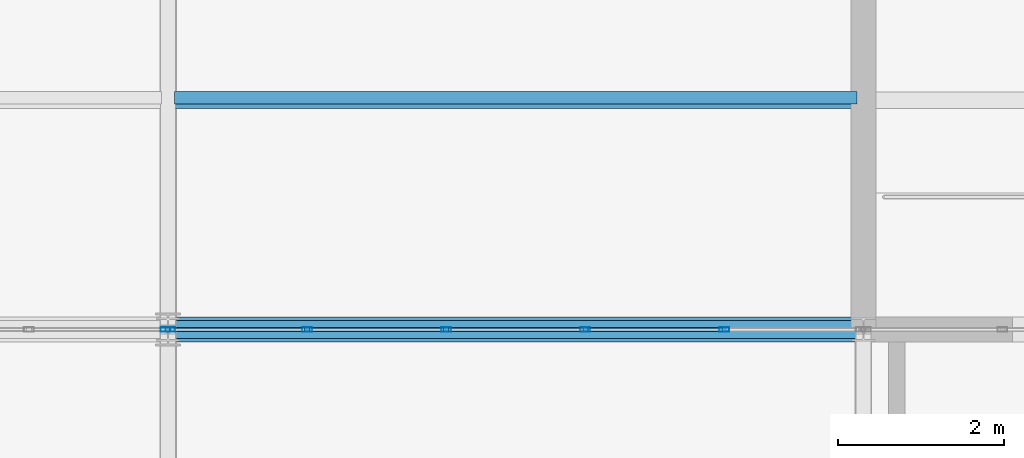
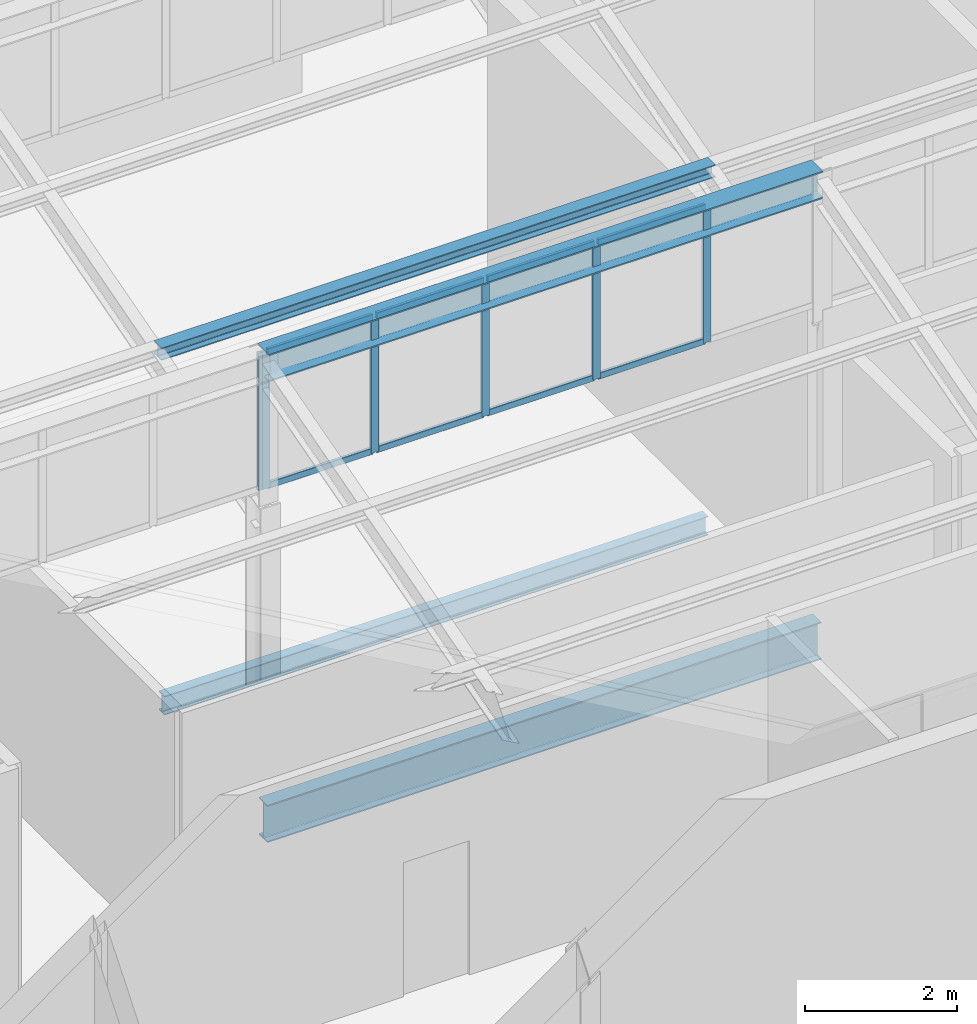
# One storey, part 12 of 53: 15 members, 3 beams, 2 elements without a shape of their own.
"""IFC4 building model written with IfcOpenShell, lengths in metres."""

from ifc_helpers import new_model, si_unit, direction, frame, origin, origin_2d, place, context, subcontext, project, spatial, hollow_rectangle, i_section, extrude, material, layer, layer_set, material_profile, profile_set, type_object, element, aggregate, save


model = new_model("IFC4")

# Units and contexts
model_context = context("Model", 3, precision=1e-05, world=origin(), true_north=direction((0.0, 1.0)))
body_context = subcontext(model_context, "Body", "Model", "MODEL_VIEW")
ifc_project = project(units=[si_unit("LENGTHUNIT", "METRE"), si_unit("AREAUNIT", "SQUARE_METRE"), si_unit("VOLUMEUNIT", "CUBIC_METRE"), si_unit("PLANEANGLEUNIT", "RADIAN"), si_unit("MASSUNIT", "GRAM", prefix="KILO")], contexts=[model_context])

# Site, building, storey
site_placement = place(None, origin())
site = spatial("IfcSite", under=ifc_project, at=site_placement, CompositionType="ELEMENT")
building_placement = place(site_placement, origin())
building = spatial("IfcBuilding", under=site, at=building_placement, Name="Qalvenar Corner Mobility Hub", CompositionType="ELEMENT")
storey_placement = place(building_placement, frame((0.0, 0.0, 26.39990234375)))
storey = spatial("IfcBuildingStorey", under=building, at=storey_placement, Name="L06", CompositionType="ELEMENT", Elevation=26.39990234375)

# Beams
ifc_material_1 = material(Name="Steel S355", Category="steel")
ifc_material_profile_1 = material_profile(ifc_material_1, i_section(OverallWidth=0.300048828125, OverallDepth=0.43994140625, WebThickness=0.011474609375, FlangeThickness=0.02099609375, FilletRadius=0.027099609375, at=origin_2d()), Name="HEA450")
ifc_profile_set_1 = profile_set([ifc_material_profile_1], Name="Steel S355")
beam_type_1 = type_object("IfcBeamType", Name="BM-HEA450", PredefinedType="BEAM", material=ifc_profile_set_1)
beam_1_placement = place(storey_placement, frame((25.199951171875, 8.39990234375, 6.81005859375), z_axis=(1.0, 0.0, 0.0), x_axis=(0.0, 1.0, 0.0)))
element("IfcBeam", 1, at=beam_1_placement, inside=storey, type_object=beam_type_1, Name="Sawtooth Ridge Girder V3RDG-1-4", PredefinedType="BEAM", context=body_context, shape_type="SweptSolid", body=[
    extrude(i_section(OverallWidth=0.300048828125, OverallDepth=0.43994140625, WebThickness=0.011474609375, FlangeThickness=0.02099609375, FilletRadius=0.027099609375, at=origin_2d()), origin(), (0.0, 0.0, 1.0), 8.400146484375),
])
ifc_material_profile_2 = material_profile(ifc_material_1, i_section(OverallWidth=0.219970703125, OverallDepth=0.60009765625, WebThickness=0.011962890625, FlangeThickness=0.01904296875, FilletRadius=0.02392578125, at=origin_2d()), Name="IPE600")
ifc_profile_set_2 = profile_set([ifc_material_profile_2], Name="Steel S355")
beam_type_2 = type_object("IfcBeamType", Name="BM-IPE600", PredefinedType="BEAM", material=ifc_profile_set_2)
beam_2_placement = place(storey_placement, frame((25.199951171875, 8.39990234375, -0.52001953125), z_axis=(1.0, 0.0, 0.0), x_axis=(0.0, 1.0, 0.0)))
element("IfcBeam", 2, at=beam_2_placement, inside=storey, type_object=beam_type_2, Name="Primary Steel Girder GX-3060", PredefinedType="BEAM", context=body_context, shape_type="SweptSolid", body=[
    extrude(i_section(OverallWidth=0.219970703125, OverallDepth=0.60009765625, WebThickness=0.011962890625, FlangeThickness=0.01904296875, FilletRadius=0.02392578125, at=origin_2d()), origin(), (0.0, 0.0, 1.0), 8.400146484375),
])
ifc_material_profile_3 = material_profile(ifc_material_1, i_section(OverallWidth=0.14990234375, OverallDepth=0.300048828125, WebThickness=0.007080078125, FlangeThickness=0.0107421875, FilletRadius=0.014892578125, at=origin_2d()), Name="IPE300")
ifc_profile_set_3 = profile_set([ifc_material_profile_3], Name="Steel S355")
beam_type_3 = type_object("IfcBeamType", Name="BM-JST300", PredefinedType="JOIST", material=ifc_profile_set_3)
beam_3_placement = place(storey_placement, frame((25.278076171875, 11.199951171875, -0.369873046875), z_axis=(1.0, 0.0, 0.0), x_axis=(0.0, 1.0, 0.0)))
element("IfcBeam", 3, at=beam_3_placement, inside=storey, type_object=beam_type_3, Name="Composite Floor Joist J-3126", PredefinedType="JOIST", context=body_context, shape_type="SweptSolid", body=[
    extrude(i_section(OverallWidth=0.14990234375, OverallDepth=0.300048828125, WebThickness=0.007080078125, FlangeThickness=0.0107421875, FilletRadius=0.014892578125, at=origin_2d()), origin(), (0.0, 0.0, 1.0), 8.243896484375),
])

# Curtain wall, member
ifc_material_2 = material(Name="Anodised Aluminium and Low-E Glazing", Category="aluminium")
ifc_layer = layer(ifc_material_2, 0.1201171875)
ifc_layer_set = layer_set([ifc_layer], Name="Anodised Aluminium and Low-E Glazing")
curtain_wall_type = type_object("IfcCurtainWallType", Name="CW-CLR-84X24", PredefinedType="NOTDEFINED", material=ifc_layer_set)
curtain_wall_1_placement = place(storey_placement, origin())
curtain_wall_1 = element("IfcCurtainWall", 4, at=curtain_wall_1_placement, inside=storey, type_object=curtain_wall_type, Name="Glazed Curtain Wall CW-V3-SAW-1-2", PredefinedType="NOTDEFINED")
ifc_material_3 = material(Name="Anodised Aluminium 6063-T6", Category="aluminium")
ifc_material_profile_4 = material_profile(ifc_material_3, hollow_rectangle(XDim=0.054931640625, YDim=0.1201171875, WallThickness=0.00341796875, InnerFilletRadius=0.00341796875, OuterFilletRadius=0.007080078125, at=origin_2d()), Name="RHS120x55x3.5")
ifc_profile_set_4 = profile_set([ifc_material_profile_4], Name="Anodised Aluminium 6063-T6")
member_type_1 = type_object("IfcMemberType", Name="CW-MUL120", PredefinedType="MULLION", material=ifc_profile_set_4)
member_1_placement = place(storey_placement, frame((25.169921875, 8.39990234375, 4.800048828125), z_axis=(0.0, 0.0, 1.0), x_axis=(0.0, -1.0, 0.0)))
member_1 = element("IfcMember", 5, at=member_1_placement, type_object=member_type_1, Name="CW-12 mullion 1", PredefinedType="MULLION", context=body_context, shape_type="SweptSolid", body=[
    extrude(hollow_rectangle(XDim=0.054931640625, YDim=0.1201171875, WallThickness=0.00341796875, InnerFilletRadius=0.00341796875, OuterFilletRadius=0.007080078125, at=origin_2d()), origin(), (0.0, 0.0, 1.0), 2.199951171875),
])
aggregate(curtain_wall_1, [member_1])

# Curtain wall, members
curtain_wall_2_placement = place(storey_placement, origin())
curtain_wall_2 = element("IfcCurtainWall", 6, at=curtain_wall_2_placement, inside=storey, type_object=curtain_wall_type, Name="Glazed Curtain Wall CW-V3-SAW-1-3", PredefinedType="NOTDEFINED")
member_2_placement = place(storey_placement, frame((31.919921875, 8.39990234375, 4.800048828125), z_axis=(0.0, 0.0, 1.0), x_axis=(0.0, -1.0, 0.0)))
member_2 = element("IfcMember", 7, at=member_2_placement, type_object=member_type_1, Name="CW-12 mullion 2", PredefinedType="MULLION", context=body_context, shape_type="SweptSolid", body=[
    extrude(hollow_rectangle(XDim=0.054931640625, YDim=0.1201171875, WallThickness=0.00341796875, InnerFilletRadius=0.00341796875, OuterFilletRadius=0.007080078125, at=origin_2d()), origin(), (0.0, 0.0, 1.0), 2.199951171875),
])
member_3_placement = place(storey_placement, frame((30.239990234375, 8.39990234375, 4.800048828125), z_axis=(0.0, 0.0, 1.0), x_axis=(0.0, -1.0, 0.0)))
member_3 = element("IfcMember", 8, at=member_3_placement, type_object=member_type_1, Name="CW-12 mullion 3", PredefinedType="MULLION", context=body_context, shape_type="SweptSolid", body=[
    extrude(hollow_rectangle(XDim=0.054931640625, YDim=0.1201171875, WallThickness=0.00341796875, InnerFilletRadius=0.00341796875, OuterFilletRadius=0.007080078125, at=origin_2d()), origin(), (0.0, 0.0, 1.0), 2.199951171875),
])
member_4_placement = place(storey_placement, frame((28.56005859375, 8.39990234375, 4.800048828125), z_axis=(0.0, 0.0, 1.0), x_axis=(0.0, -1.0, 0.0)))
member_4 = element("IfcMember", 9, at=member_4_placement, type_object=member_type_1, Name="CW-12 mullion 4", PredefinedType="MULLION", context=body_context, shape_type="SweptSolid", body=[
    extrude(hollow_rectangle(XDim=0.054931640625, YDim=0.1201171875, WallThickness=0.00341796875, InnerFilletRadius=0.00341796875, OuterFilletRadius=0.007080078125, at=origin_2d()), origin(), (0.0, 0.0, 1.0), 2.199951171875),
])
member_5_placement = place(storey_placement, frame((26.8798828125, 8.39990234375, 4.800048828125), z_axis=(0.0, 0.0, 1.0), x_axis=(0.0, -1.0, 0.0)))
member_5 = element("IfcMember", 10, at=member_5_placement, type_object=member_type_1, Name="CW-12 mullion 5", PredefinedType="MULLION", context=body_context, shape_type="SweptSolid", body=[
    extrude(hollow_rectangle(XDim=0.054931640625, YDim=0.1201171875, WallThickness=0.00341796875, InnerFilletRadius=0.00341796875, OuterFilletRadius=0.007080078125, at=origin_2d()), origin(), (0.0, 0.0, 1.0), 2.199951171875),
])
member_6_placement = place(storey_placement, frame((25.22998046875, 8.39990234375, 4.800048828125), z_axis=(0.0, 0.0, 1.0), x_axis=(0.0, -1.0, 0.0)))
member_6 = element("IfcMember", 11, at=member_6_placement, type_object=member_type_1, Name="CW-12 mullion 6", PredefinedType="MULLION", context=body_context, shape_type="SweptSolid", body=[
    extrude(hollow_rectangle(XDim=0.054931640625, YDim=0.1201171875, WallThickness=0.00341796875, InnerFilletRadius=0.00341796875, OuterFilletRadius=0.007080078125, at=origin_2d()), origin(), (0.0, 0.0, 1.0), 2.199951171875),
])
ifc_material_profile_5 = material_profile(ifc_material_3, hollow_rectangle(XDim=0.050048828125, YDim=0.10009765625, WallThickness=0.0029296875, InnerFilletRadius=0.0029296875, OuterFilletRadius=0.006103515625, at=origin_2d()), Name="RHS100x50x3")
ifc_profile_set_5 = profile_set([ifc_material_profile_5], Name="Anodised Aluminium 6063-T6")
member_type_2 = type_object("IfcMemberType", Name="CW-TRN100", PredefinedType="USERDEFINED", material=ifc_profile_set_5)
member_7_placement = place(storey_placement, frame((31.889892578125, 8.39990234375, 4.82763671875), z_axis=(-1.0, 0.0, 0.0), x_axis=(0.0, -1.0, 0.0)))
member_7 = element("IfcMember", 12, at=member_7_placement, type_object=member_type_2, Name="CW-12 transom 2.1", ObjectType="TRANSOM", PredefinedType="USERDEFINED", context=body_context, shape_type="SweptSolid", body=[
    extrude(hollow_rectangle(XDim=0.050048828125, YDim=0.10009765625, WallThickness=0.0029296875, InnerFilletRadius=0.0029296875, OuterFilletRadius=0.006103515625, at=origin_2d()), origin(), (0.0, 0.0, 1.0), 1.619873046875),
])
member_8_placement = place(storey_placement, frame((31.889892578125, 8.39990234375, 6.97265625), z_axis=(-1.0, 0.0, 0.0), x_axis=(0.0, -1.0, 0.0)))
member_8 = element("IfcMember", 13, at=member_8_placement, type_object=member_type_2, Name="CW-12 transom 2.2", ObjectType="TRANSOM", PredefinedType="USERDEFINED", context=body_context, shape_type="SweptSolid", body=[
    extrude(hollow_rectangle(XDim=0.050048828125, YDim=0.10009765625, WallThickness=0.0029296875, InnerFilletRadius=0.0029296875, OuterFilletRadius=0.006103515625, at=origin_2d()), origin(), (0.0, 0.0, 1.0), 1.619873046875),
])
member_9_placement = place(storey_placement, frame((30.2099609375, 8.39990234375, 4.82763671875), z_axis=(-1.0, 0.0, 0.0), x_axis=(0.0, -1.0, 0.0)))
member_9 = element("IfcMember", 14, at=member_9_placement, type_object=member_type_2, Name="CW-12 transom 3.1", ObjectType="TRANSOM", PredefinedType="USERDEFINED", context=body_context, shape_type="SweptSolid", body=[
    extrude(hollow_rectangle(XDim=0.050048828125, YDim=0.10009765625, WallThickness=0.0029296875, InnerFilletRadius=0.0029296875, OuterFilletRadius=0.006103515625, at=origin_2d()), origin(), (0.0, 0.0, 1.0), 1.619873046875),
])
member_10_placement = place(storey_placement, frame((30.2099609375, 8.39990234375, 6.97265625), z_axis=(-1.0, 0.0, 0.0), x_axis=(0.0, -1.0, 0.0)))
member_10 = element("IfcMember", 15, at=member_10_placement, type_object=member_type_2, Name="CW-12 transom 3.2", ObjectType="TRANSOM", PredefinedType="USERDEFINED", context=body_context, shape_type="SweptSolid", body=[
    extrude(hollow_rectangle(XDim=0.050048828125, YDim=0.10009765625, WallThickness=0.0029296875, InnerFilletRadius=0.0029296875, OuterFilletRadius=0.006103515625, at=origin_2d()), origin(), (0.0, 0.0, 1.0), 1.619873046875),
])
member_11_placement = place(storey_placement, frame((28.530029296875, 8.39990234375, 4.82763671875), z_axis=(-1.0, 0.0, 0.0), x_axis=(0.0, -1.0, 0.0)))
member_11 = element("IfcMember", 16, at=member_11_placement, type_object=member_type_2, Name="CW-12 transom 4.1", ObjectType="TRANSOM", PredefinedType="USERDEFINED", context=body_context, shape_type="SweptSolid", body=[
    extrude(hollow_rectangle(XDim=0.050048828125, YDim=0.10009765625, WallThickness=0.0029296875, InnerFilletRadius=0.0029296875, OuterFilletRadius=0.006103515625, at=origin_2d()), origin(), (0.0, 0.0, 1.0), 1.6201171875),
])
member_12_placement = place(storey_placement, frame((28.530029296875, 8.39990234375, 6.97265625), z_axis=(-1.0, 0.0, 0.0), x_axis=(0.0, -1.0, 0.0)))
member_12 = element("IfcMember", 17, at=member_12_placement, type_object=member_type_2, Name="CW-12 transom 4.2", ObjectType="TRANSOM", PredefinedType="USERDEFINED", context=body_context, shape_type="SweptSolid", body=[
    extrude(hollow_rectangle(XDim=0.050048828125, YDim=0.10009765625, WallThickness=0.0029296875, InnerFilletRadius=0.0029296875, OuterFilletRadius=0.006103515625, at=origin_2d()), origin(), (0.0, 0.0, 1.0), 1.6201171875),
])
member_13_placement = place(storey_placement, frame((26.85009765625, 8.39990234375, 4.82763671875), z_axis=(-1.0, 0.0, 0.0), x_axis=(0.0, -1.0, 0.0)))
member_13 = element("IfcMember", 18, at=member_13_placement, type_object=member_type_2, Name="CW-12 transom 5.1", ObjectType="TRANSOM", PredefinedType="USERDEFINED", context=body_context, shape_type="SweptSolid", body=[
    extrude(hollow_rectangle(XDim=0.050048828125, YDim=0.10009765625, WallThickness=0.0029296875, InnerFilletRadius=0.0029296875, OuterFilletRadius=0.006103515625, at=origin_2d()), origin(), (0.0, 0.0, 1.0), 1.590087890625),
])
member_14_placement = place(storey_placement, frame((26.85009765625, 8.39990234375, 6.97265625), z_axis=(-1.0, 0.0, 0.0), x_axis=(0.0, -1.0, 0.0)))
member_14 = element("IfcMember", 19, at=member_14_placement, type_object=member_type_2, Name="CW-12 transom 5.2", ObjectType="TRANSOM", PredefinedType="USERDEFINED", context=body_context, shape_type="SweptSolid", body=[
    extrude(hollow_rectangle(XDim=0.050048828125, YDim=0.10009765625, WallThickness=0.0029296875, InnerFilletRadius=0.0029296875, OuterFilletRadius=0.006103515625, at=origin_2d()), origin(), (0.0, 0.0, 1.0), 1.590087890625),
])
aggregate(curtain_wall_2, [member_2, member_3, member_4, member_5, member_6, member_7, member_8, member_9, member_10, member_11, member_12, member_13, member_14])

# Member
ifc_material_profile_6 = material_profile(ifc_material_1, i_section(OverallWidth=0.199951171875, OverallDepth=0.199951171875, WebThickness=0.009033203125, FlangeThickness=0.014892578125, FilletRadius=0.01806640625, at=origin_2d()), Name="HEB200")
ifc_profile_set_6 = profile_set([ifc_material_profile_6], Name="Steel S355")
member_type_3 = type_object("IfcMemberType", Name="PR-RHS200", PredefinedType="PURLIN", material=ifc_profile_set_6)
member_15_placement = place(storey_placement, frame((25.199951171875, 11.172119140625, 5.322021484375), z_axis=(1.0, 0.0, 0.0), x_axis=(0.0, 1.0, 0.0)))
element("IfcMember", 20, at=member_15_placement, inside=storey, type_object=member_type_3, Name="Sawtooth Roof Purlin PR-V3-2-4-33", PredefinedType="PURLIN", context=body_context, shape_type="SweptSolid", body=[
    extrude(i_section(OverallWidth=0.199951171875, OverallDepth=0.199951171875, WebThickness=0.009033203125, FlangeThickness=0.014892578125, FilletRadius=0.01806640625, at=origin_2d()), origin(), (0.0, 0.0, 1.0), 8.400146484375),
])

save(model, "model.ifc")
